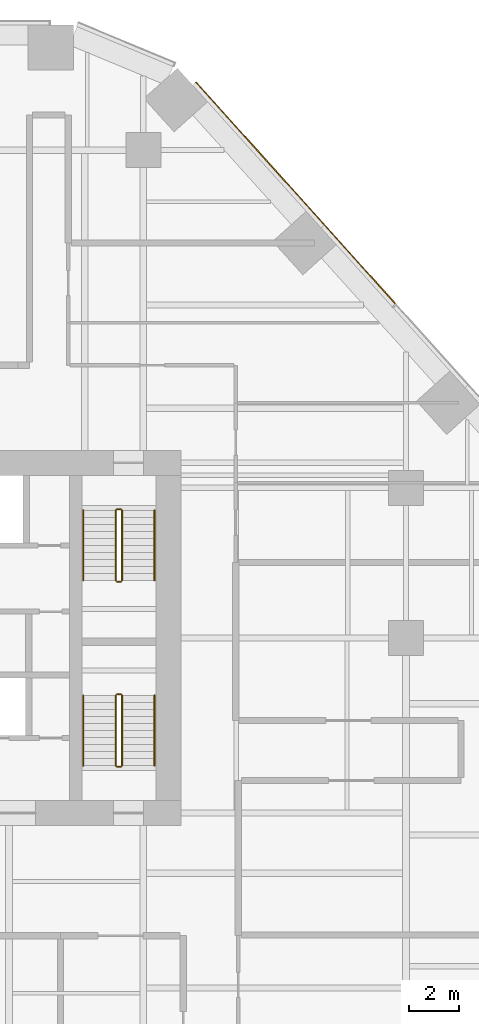
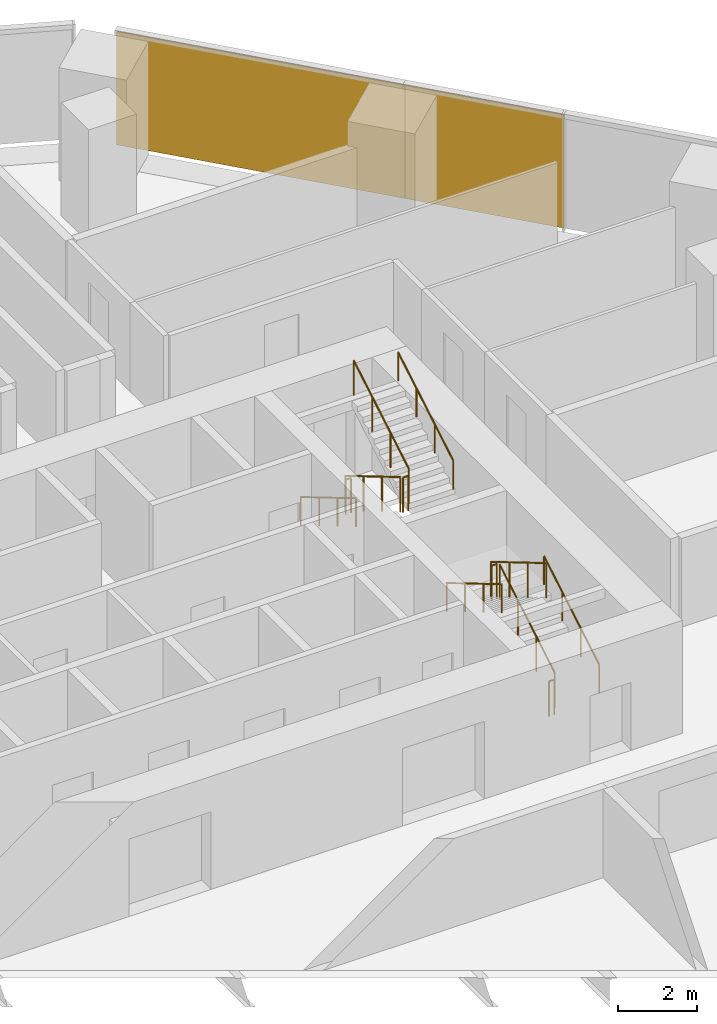
# One storey, part 20 of 21: 12 railings, 2 coverings, 1 element without a shape of its own.
"""IFC4 building model written with IfcOpenShell, lengths in metres."""

from ifc_helpers import new_model, si_unit, direction, frame, origin, origin_2d, place, context, subcontext, project, spatial, rectangle, circle, extrude, material, layer, layer_set, type_object, element, aggregate, save


model = new_model("IFC4")

# Units and contexts
model_context = context("Model", 3, precision=1e-05, world=origin(), true_north=direction((0.0, 1.0)))
body_context = subcontext(model_context, "Body", "Model", "MODEL_VIEW")
ifc_project = project(units=[si_unit("LENGTHUNIT", "METRE"), si_unit("AREAUNIT", "SQUARE_METRE"), si_unit("VOLUMEUNIT", "CUBIC_METRE"), si_unit("PLANEANGLEUNIT", "RADIAN"), si_unit("MASSUNIT", "GRAM", prefix="KILO")], contexts=[model_context])

# Site, building, storey
site_placement = place(None, origin())
site = spatial("IfcSite", under=ifc_project, at=site_placement, CompositionType="ELEMENT")
building_placement = place(site_placement, origin())
building = spatial("IfcBuilding", under=site, at=building_placement, Name="Isthmus Gate Tower", CompositionType="ELEMENT")
storey_placement = place(building_placement, frame((0.0, 0.0, 50.60009765625)))
storey = spatial("IfcBuildingStorey", under=building, at=storey_placement, Name="L10", CompositionType="ELEMENT", Elevation=50.60009765625)

# Curtain wall, coverings
ifc_material_1 = material(Name="Aluminium, pale champagne anodised", Category="aluminium")
ifc_layer_1 = layer(ifc_material_1, 0.199951171875)
ifc_layer_set_1 = layer_set([ifc_layer_1], Name="CW-1 UNITISED CURTAIN WALL 200 DEEP")
curtain_wall_type = type_object("IfcCurtainWallType", Name="CW-1 UNITISED CURTAIN WALL 200 DEEP", PredefinedType="NOTDEFINED", material=ifc_layer_set_1)
curtain_wall_placement = place(storey_placement, origin())
curtain_wall = element("IfcCurtainWall", 1, at=curtain_wall_placement, inside=storey, type_object=curtain_wall_type, Name="CW-1 NE L10", PredefinedType="NOTDEFINED")
ifc_material_2 = material(Name="Aluminium composite panel, pale champagne anodised", Category="aluminium")
ifc_layer_2 = layer(ifc_material_2, 0.0400390625)
ifc_layer_set_2 = layer_set([ifc_layer_2], Name="CW-1 PALE METAL PANEL 40")
covering_type = type_object("IfcCoveringType", Name="CW-1 PALE METAL PANEL 40", PredefinedType="CLADDING", material=ifc_layer_set_2)
covering_1_placement = place(storey_placement, frame((22.1630859375, 22.4326171875, 0.0), z_axis=(0.0, 0.0, 1.0), x_axis=(-0.669130606359, 0.743144825477, 0.0)))
covering_1 = element("IfcCovering", 2, at=covering_1_placement, type_object=covering_type, Name="CW-1 pale metal panel", PredefinedType="CLADDING", context=body_context, shape_type="SweptSolid", body=[
    extrude(rectangle(XDim=4.234619140625, YDim=0.0400390625, at=origin_2d()), origin(), (0.0, 0.0, 1.0), 3.5),
])
covering_2_placement = place(storey_placement, frame((18.173583984375, 26.86328125, 0.0), z_axis=(0.0, 0.0, 1.0), x_axis=(-0.669130606359, 0.743144825477, 0.0)))
covering_2 = element("IfcCovering", 3, at=covering_2_placement, type_object=covering_type, Name="CW-1 pale metal panel", PredefinedType="CLADDING", context=body_context, shape_type="SweptSolid", body=[
    extrude(rectangle(XDim=7.689453125, YDim=0.0400390625, at=origin_2d()), origin(), (0.0, 0.0, 1.0), 3.5),
])
aggregate(curtain_wall, [covering_1, covering_2])

# Railings
ifc_material_3 = material(Name="Stainless steel balustrade", Category="steel")
railing_type_1 = type_object("IfcRailingType", Name="STAIR GUARD 1100", PredefinedType="GUARDRAIL", material=ifc_material_3)
railing_1_placement = place(storey_placement, frame((12.39990234375, 12.60009765625, 0.165771484375)))
element("IfcRailing", 4, at=railing_1_placement, inside=storey, type_object=railing_type_1, Name="L10 ST2 stair guard 1", PredefinedType="GUARDRAIL", context=body_context, shape_type="SweptSolid", body=[
    extrude(circle(Radius=0.02392578125, at=origin_2d()), frame((0.0, 0.0, 1.076171875), z_axis=(0.0, -0.860306154799, 0.50977771628), x_axis=(1.0, 0.0, 0.0)), (0.0, 0.0, 1.0), 3.254638671875),
    extrude(circle(Radius=0.02099609375, at=origin_2d()), origin(), (0.0, 0.0, 1.0), 1.052001953125),
    extrude(circle(Radius=0.02099609375, at=origin_2d()), frame((0.0, -0.933349609375, 0.552978515625)), (0.0, 0.0, 1.0), 1.052001953125),
    extrude(circle(Radius=0.02099609375, at=origin_2d()), frame((0.0, -1.86669921875, 1.106201171875)), (0.0, 0.0, 1.0), 1.052001953125),
    extrude(circle(Radius=0.02099609375, at=origin_2d()), frame((0.0, -2.800048828125, 1.6591796875)), (0.0, 0.0, 1.0), 1.052001953125),
])
railing_2_placement = place(storey_placement, frame((12.449951171875, 9.75, 1.824951171875)))
element("IfcRailing", 5, at=railing_2_placement, inside=storey, type_object=railing_type_1, Name="L10 ST2 stair guard 2", PredefinedType="GUARDRAIL", context=body_context, shape_type="SweptSolid", body=[
    extrude(circle(Radius=0.02392578125, at=origin_2d()), frame((0.0, 0.0, 1.076171875), z_axis=(1.0, 0.0, 0.0), x_axis=(0.0, 1.0, 0.0)), (0.0, 0.0, 1.0), 0.150146484375),
    extrude(circle(Radius=0.02099609375, at=origin_2d()), origin(), (0.0, 0.0, 1.0), 1.052001953125),
    extrude(circle(Radius=0.02099609375, at=origin_2d()), frame((0.150146484375, 0.0, 0.0)), (0.0, 0.0, 1.0), 1.052001953125),
])
railing_3_placement = place(storey_placement, frame((12.64990234375, 9.800048828125, 1.99072265625)))
element("IfcRailing", 6, at=railing_3_placement, inside=storey, type_object=railing_type_1, Name="L10 ST2 stair guard 3", PredefinedType="GUARDRAIL", context=body_context, shape_type="SweptSolid", body=[
    extrude(circle(Radius=0.02392578125, at=origin_2d()), frame((0.0, 0.0, 1.076171875), z_axis=(0.0, 0.860306154799, 0.50977771628), x_axis=(-1.0, 0.0, 0.0)), (0.0, 0.0, 1.0), 3.254638671875),
    extrude(circle(Radius=0.02099609375, at=origin_2d()), origin(), (0.0, 0.0, 1.0), 1.052001953125),
    extrude(circle(Radius=0.02099609375, at=origin_2d()), frame((0.0, 0.933349609375, 0.552978515625)), (0.0, 0.0, 1.0), 1.052001953125),
    extrude(circle(Radius=0.02099609375, at=origin_2d()), frame((0.0, 1.86669921875, 1.106201171875)), (0.0, 0.0, 1.0), 1.052001953125),
    extrude(circle(Radius=0.02099609375, at=origin_2d()), frame((0.0, 2.800048828125, 1.6591796875)), (0.0, 0.0, 1.0), 1.052001953125),
])
railing_4_placement = place(storey_placement, frame((12.449951171875, 12.64990234375, 0.0)))
element("IfcRailing", 7, at=railing_4_placement, inside=storey, type_object=railing_type_1, Name="L10 ST2 stair guard 4", PredefinedType="GUARDRAIL", context=body_context, shape_type="SweptSolid", body=[
    extrude(circle(Radius=0.02392578125, at=origin_2d()), frame((0.0, 0.0, 1.076171875), z_axis=(1.0, 0.0, 0.0), x_axis=(0.0, 1.0, 0.0)), (0.0, 0.0, 1.0), 0.150146484375),
    extrude(circle(Radius=0.02099609375, at=origin_2d()), origin(), (0.0, 0.0, 1.0), 1.052001953125),
    extrude(circle(Radius=0.02099609375, at=origin_2d()), frame((0.150146484375, 0.0, 0.0)), (0.0, 0.0, 1.0), 1.052001953125),
])
railing_5_placement = place(storey_placement, frame((12.64990234375, 2.39990234375, 0.165771484375)))
element("IfcRailing", 8, at=railing_5_placement, inside=storey, type_object=railing_type_1, Name="L10 ST8 stair guard 1", PredefinedType="GUARDRAIL", context=body_context, shape_type="SweptSolid", body=[
    extrude(circle(Radius=0.02392578125, at=origin_2d()), frame((0.0, 0.0, 1.076171875), z_axis=(0.0, 0.860306154799, 0.50977771628), x_axis=(-1.0, 0.0, 0.0)), (0.0, 0.0, 1.0), 3.254638671875),
    extrude(circle(Radius=0.02099609375, at=origin_2d()), origin(), (0.0, 0.0, 1.0), 1.052001953125),
    extrude(circle(Radius=0.02099609375, at=origin_2d()), frame((0.0, 0.933349609375, 0.552978515625)), (0.0, 0.0, 1.0), 1.052001953125),
    extrude(circle(Radius=0.02099609375, at=origin_2d()), frame((0.0, 1.86669921875, 1.106201171875)), (0.0, 0.0, 1.0), 1.052001953125),
    extrude(circle(Radius=0.02099609375, at=origin_2d()), frame((0.0, 2.800048828125, 1.6591796875)), (0.0, 0.0, 1.0), 1.052001953125),
])
railing_6_placement = place(storey_placement, frame((12.60009765625, 5.25, 1.824951171875)))
element("IfcRailing", 9, at=railing_6_placement, inside=storey, type_object=railing_type_1, Name="L10 ST8 stair guard 2", PredefinedType="GUARDRAIL", context=body_context, shape_type="SweptSolid", body=[
    extrude(circle(Radius=0.02392578125, at=origin_2d()), frame((0.0, 0.0, 1.076171875), z_axis=(-1.0, 0.0, 0.0), x_axis=(0.0, -1.0, 0.0)), (0.0, 0.0, 1.0), 0.150146484375),
    extrude(circle(Radius=0.02099609375, at=origin_2d()), origin(), (0.0, 0.0, 1.0), 1.052001953125),
    extrude(circle(Radius=0.02099609375, at=origin_2d()), frame((-0.150146484375, 0.0, 0.0)), (0.0, 0.0, 1.0), 1.052001953125),
])
railing_7_placement = place(storey_placement, frame((12.39990234375, 5.199951171875, 1.99072265625)))
element("IfcRailing", 10, at=railing_7_placement, inside=storey, type_object=railing_type_1, Name="L10 ST8 stair guard 3", PredefinedType="GUARDRAIL", context=body_context, shape_type="SweptSolid", body=[
    extrude(circle(Radius=0.02392578125, at=origin_2d()), frame((0.0, 0.0, 1.076171875), z_axis=(0.0, -0.860306154799, 0.50977771628), x_axis=(1.0, 0.0, 0.0)), (0.0, 0.0, 1.0), 3.254638671875),
    extrude(circle(Radius=0.02099609375, at=origin_2d()), origin(), (0.0, 0.0, 1.0), 1.052001953125),
    extrude(circle(Radius=0.02099609375, at=origin_2d()), frame((0.0, -0.933349609375, 0.552978515625)), (0.0, 0.0, 1.0), 1.052001953125),
    extrude(circle(Radius=0.02099609375, at=origin_2d()), frame((0.0, -1.86669921875, 1.106201171875)), (0.0, 0.0, 1.0), 1.052001953125),
    extrude(circle(Radius=0.02099609375, at=origin_2d()), frame((0.0, -2.800048828125, 1.6591796875)), (0.0, 0.0, 1.0), 1.052001953125),
])
railing_8_placement = place(storey_placement, frame((12.60009765625, 2.35009765625, 0.0)))
element("IfcRailing", 11, at=railing_8_placement, inside=storey, type_object=railing_type_1, Name="L10 ST8 stair guard 4", PredefinedType="GUARDRAIL", context=body_context, shape_type="SweptSolid", body=[
    extrude(circle(Radius=0.02392578125, at=origin_2d()), frame((0.0, 0.0, 1.076171875), z_axis=(-1.0, 0.0, 0.0), x_axis=(0.0, -1.0, 0.0)), (0.0, 0.0, 1.0), 0.150146484375),
    extrude(circle(Radius=0.02099609375, at=origin_2d()), origin(), (0.0, 0.0, 1.0), 1.052001953125),
    extrude(circle(Radius=0.02099609375, at=origin_2d()), frame((-0.150146484375, 0.0, 0.0)), (0.0, 0.0, 1.0), 1.052001953125),
])
ifc_material_4 = material(Name="Stainless steel handrail", Category="steel")
railing_type_2 = type_object("IfcRailingType", Name="STAIR HANDRAIL 900", PredefinedType="HANDRAIL", material=ifc_material_4)
railing_9_placement = place(storey_placement, frame((11.10009765625, 12.60009765625, 0.165771484375)))
element("IfcRailing", 12, at=railing_9_placement, inside=storey, type_object=railing_type_2, Name="L10 ST2 stair handrail 1", PredefinedType="HANDRAIL", context=body_context, shape_type="SweptSolid", body=[
    extrude(circle(Radius=0.02392578125, at=origin_2d()), frame((0.0, 0.0, 0.8759765625), z_axis=(0.0, -0.860306154799, 0.50977771628), x_axis=(1.0, 0.0, 0.0)), (0.0, 0.0, 1.0), 3.254638671875),
    extrude(circle(Radius=0.02099609375, at=origin_2d()), origin(), (0.0, 0.0, 1.0), 0.851806640625),
    extrude(circle(Radius=0.02099609375, at=origin_2d()), frame((0.0, -0.933349609375, 0.552978515625)), (0.0, 0.0, 1.0), 0.851806640625),
    extrude(circle(Radius=0.02099609375, at=origin_2d()), frame((0.0, -1.86669921875, 1.106201171875)), (0.0, 0.0, 1.0), 0.851806640625),
    extrude(circle(Radius=0.02099609375, at=origin_2d()), frame((0.0, -2.800048828125, 1.6591796875)), (0.0, 0.0, 1.0), 0.851806640625),
])
for number, where, name in (
    (13, (13.949951171875, 9.800048828125, 1.99072265625), "L10 ST2 stair handrail 2"),
    (14, (13.949951171875, 2.39990234375, 0.165771484375), "L10 ST8 stair handrail 1"),
):
    element("IfcRailing", number, at=place(storey_placement, frame(where)), inside=storey, type_object=railing_type_2, Name=name, PredefinedType="HANDRAIL", context=body_context, shape_type="SweptSolid", body=[
        extrude(circle(Radius=0.02392578125, at=origin_2d()), frame((0.0, 0.0, 0.8759765625), z_axis=(0.0, 0.860306154799, 0.50977771628), x_axis=(-1.0, 0.0, 0.0)), (0.0, 0.0, 1.0), 3.254638671875),
        extrude(circle(Radius=0.02099609375, at=origin_2d()), origin(), (0.0, 0.0, 1.0), 0.851806640625),
        extrude(circle(Radius=0.02099609375, at=origin_2d()), frame((0.0, 0.933349609375, 0.552978515625)), (0.0, 0.0, 1.0), 0.851806640625),
        extrude(circle(Radius=0.02099609375, at=origin_2d()), frame((0.0, 1.86669921875, 1.106201171875)), (0.0, 0.0, 1.0), 0.851806640625),
        extrude(circle(Radius=0.02099609375, at=origin_2d()), frame((0.0, 2.800048828125, 1.6591796875)), (0.0, 0.0, 1.0), 0.851806640625),
    ])
railing_10_placement = place(storey_placement, frame((11.10009765625, 5.199951171875, 1.99072265625)))
element("IfcRailing", 15, at=railing_10_placement, inside=storey, type_object=railing_type_2, Name="L10 ST8 stair handrail 2", PredefinedType="HANDRAIL", context=body_context, shape_type="SweptSolid", body=[
    extrude(circle(Radius=0.02392578125, at=origin_2d()), frame((0.0, 0.0, 0.8759765625), z_axis=(0.0, -0.860306154799, 0.50977771628), x_axis=(1.0, 0.0, 0.0)), (0.0, 0.0, 1.0), 3.254638671875),
    extrude(circle(Radius=0.02099609375, at=origin_2d()), origin(), (0.0, 0.0, 1.0), 0.851806640625),
    extrude(circle(Radius=0.02099609375, at=origin_2d()), frame((0.0, -0.933349609375, 0.552978515625)), (0.0, 0.0, 1.0), 0.851806640625),
    extrude(circle(Radius=0.02099609375, at=origin_2d()), frame((0.0, -1.86669921875, 1.106201171875)), (0.0, 0.0, 1.0), 0.851806640625),
    extrude(circle(Radius=0.02099609375, at=origin_2d()), frame((0.0, -2.800048828125, 1.6591796875)), (0.0, 0.0, 1.0), 0.851806640625),
])

save(model, "model.ifc")
